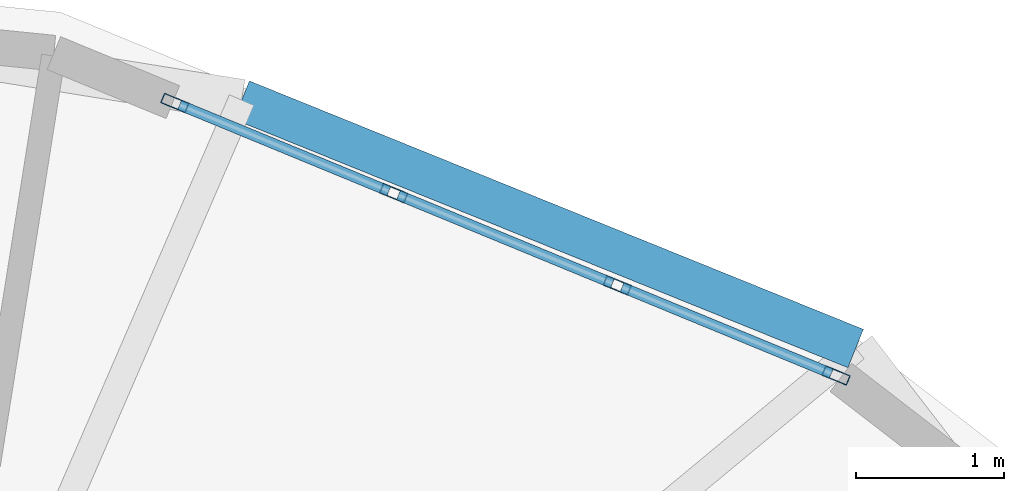
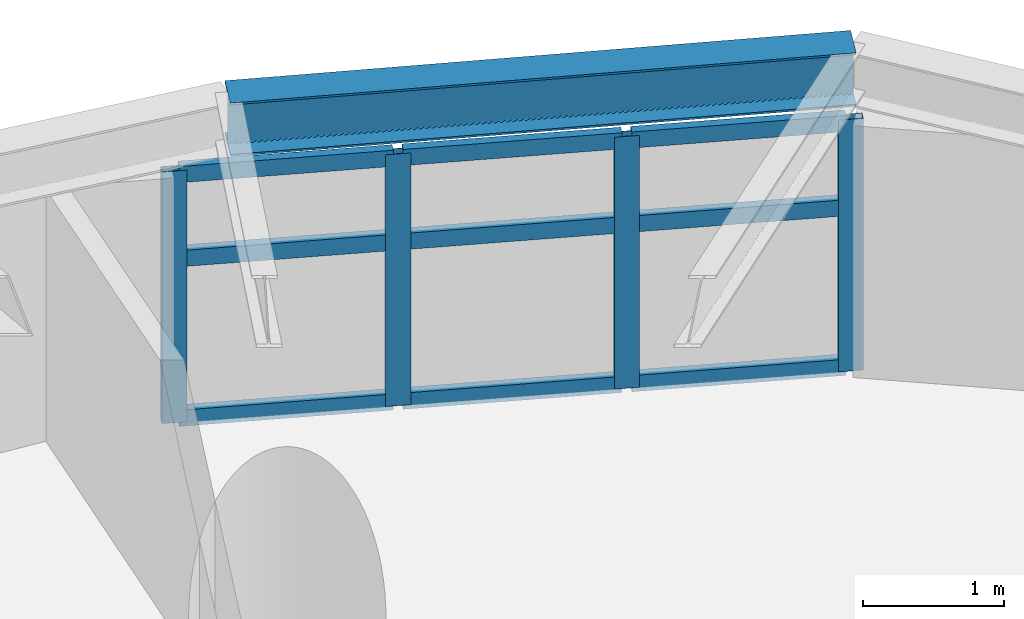
# One storey, part 7 of 16: 13 members, 1 beam, 1 element without a shape of its own.
"""IFC4 building model written with IfcOpenShell, lengths in metres."""

from ifc_helpers import new_model, si_unit, direction, frame, origin, origin_2d, place, context, subcontext, project, spatial, hollow_rectangle, i_section, extrude, material, layer, layer_set, material_profile, profile_set, type_object, element, aggregate, save


model = new_model("IFC4")

# Units and contexts
model_context = context("Model", 3, precision=1e-05, world=origin(), true_north=direction((0.0, 1.0)))
body_context = subcontext(model_context, "Body", "Model", "MODEL_VIEW")
ifc_project = project(units=[si_unit("LENGTHUNIT", "METRE"), si_unit("AREAUNIT", "SQUARE_METRE"), si_unit("VOLUMEUNIT", "CUBIC_METRE"), si_unit("PLANEANGLEUNIT", "RADIAN"), si_unit("MASSUNIT", "GRAM", prefix="KILO")], contexts=[model_context])

# Site, building, storey
site_placement = place(None, origin())
site = spatial("IfcSite", under=ifc_project, at=site_placement, CompositionType="ELEMENT")
building_placement = place(site_placement, origin())
building = spatial("IfcBuilding", under=site, at=building_placement, Name="Cununo Teusaquillo Station Towers", CompositionType="ELEMENT")
storey_placement = place(building_placement, frame((0.0, 0.0, 73.06005859375)))
storey = spatial("IfcBuildingStorey", under=building, at=storey_placement, Name="L22", CompositionType="ELEMENT", Elevation=73.06005859375)

# Beam
ifc_material_1 = material(Name="Steel ASTM A572 Grade 50", Category="steel")
ifc_material_profile_1 = material_profile(ifc_material_1, i_section(OverallWidth=0.280029296875, OverallDepth=0.462890625, WebThickness=0.0107421875, FlangeThickness=0.017333984375, FilletRadius=0.013916015625, at=origin_2d()), Name="W18X76")
ifc_profile_set_1 = profile_set([ifc_material_profile_1], Name="Steel ASTM A572 Grade 50")
beam_type = type_object("IfcBeamType", Name="BM-RING-Z2", PredefinedType="SPANDREL", material=ifc_profile_set_1)
beam_placement = place(storey_placement, frame((63.9111328125, 39.341064453125, 2.4384765625), z_axis=(-0.927007712072, 0.375042266631, 0.0), x_axis=(-0.375042266631, -0.927007712072, 0.0)))
element("IfcBeam", 1, at=beam_placement, inside=storey, type_object=beam_type, Name="L22 Tower B Spandrel Ring Beam 02", PredefinedType="SPANDREL", context=body_context, shape_type="SweptSolid", body=[
    extrude(i_section(OverallWidth=0.280029296875, OverallDepth=0.462890625, WebThickness=0.0107421875, FlangeThickness=0.017333984375, FilletRadius=0.013916015625, at=origin_2d()), origin(), (0.0, 0.0, 1.0), 4.480712890625),
])

# Curtain wall, members
ifc_material_2 = material(Name="Ceramic-fritted dark low-E double glazing", Category="glass")
ifc_layer = layer(ifc_material_2, 0.179931640625)
ifc_layer_set = layer_set([ifc_layer], Name="Ceramic-fritted dark low-E double glazing")
curtain_wall_type = type_object("IfcCurtainWallType", Name="CW-SYS-04", PredefinedType="USERDEFINED", material=ifc_layer_set)
curtain_wall_placement = place(storey_placement, origin())
curtain_wall = element("IfcCurtainWall", 2, at=curtain_wall_placement, inside=storey, type_object=curtain_wall_type, Name="L22 Tower B Facade Curtain Wall C01", ObjectType="FRITTED GLAZING", PredefinedType="USERDEFINED")
ifc_material_3 = material(Name="Anodised dark bronze aluminium EN AW-6063-T6", Category="aluminium")
ifc_material_profile_2 = material_profile(ifc_material_3, hollow_rectangle(XDim=0.070068359375, YDim=0.179931640625, WallThickness=0.00390625, at=origin_2d()), Name="CW-MULL-70x180")
ifc_profile_set_2 = profile_set([ifc_material_profile_2], Name="Anodised dark bronze aluminium EN AW-6063-T6")
member_type_1 = type_object("IfcMemberType", Name="CWM-180", PredefinedType="MULLION", material=ifc_profile_set_2)
member_1_placement = place(storey_placement, frame((59.3056640625, 41.001953125, 0.0), z_axis=(0.0, 0.0, 1.0), x_axis=(0.381030560176, 0.924562443652, 0.0)))
member_1 = element("IfcMember", 3, at=member_1_placement, type_object=member_type_1, Name="CW-04 mullion 1", PredefinedType="MULLION", context=body_context, shape_type="SweptSolid", body=[
    extrude(hollow_rectangle(XDim=0.070068359375, YDim=0.179931640625, WallThickness=0.00390625, at=origin_2d()), origin(), (0.0, 0.0, 1.0), 2.178955078125),
])
member_2_placement = place(storey_placement, frame((60.785888671875, 40.39208984375, 0.0), z_axis=(0.0, 0.0, 1.0), x_axis=(0.381030560176, 0.924562443652, 0.0)))
member_2 = element("IfcMember", 4, at=member_2_placement, type_object=member_type_1, Name="CW-04 mullion 2", PredefinedType="MULLION", context=body_context, shape_type="SweptSolid", body=[
    extrude(hollow_rectangle(XDim=0.070068359375, YDim=0.179931640625, WallThickness=0.00390625, at=origin_2d()), origin(), (0.0, 0.0, 1.0), 2.178955078125),
])
member_3_placement = place(storey_placement, frame((62.298583984375, 39.7685546875, 0.0), z_axis=(0.0, 0.0, 1.0), x_axis=(0.381030560176, 0.924562443652, 0.0)))
member_3 = element("IfcMember", 5, at=member_3_placement, type_object=member_type_1, Name="CW-04 mullion 3", PredefinedType="MULLION", context=body_context, shape_type="SweptSolid", body=[
    extrude(hollow_rectangle(XDim=0.070068359375, YDim=0.179931640625, WallThickness=0.00390625, at=origin_2d()), origin(), (0.0, 0.0, 1.0), 2.178955078125),
])
member_4_placement = place(storey_placement, frame((63.77880859375, 39.158447265625, 0.0), z_axis=(0.0, 0.0, 1.0), x_axis=(0.381030560176, 0.924562443652, 0.0)))
member_4 = element("IfcMember", 6, at=member_4_placement, type_object=member_type_1, Name="CW-04 mullion 4", PredefinedType="MULLION", context=body_context, shape_type="SweptSolid", body=[
    extrude(hollow_rectangle(XDim=0.070068359375, YDim=0.179931640625, WallThickness=0.00390625, at=origin_2d()), origin(), (0.0, 0.0, 1.0), 2.178955078125),
])
ifc_material_4 = material(Name="Anodised dark bronze aluminium EN AW-6063-T6", Category="aluminium")
ifc_material_profile_3 = material_profile(ifc_material_4, hollow_rectangle(XDim=0.070068359375, YDim=0.139892578125, WallThickness=0.00390625, at=origin_2d()), Name="CW-TRAN-70x140")
ifc_profile_set_3 = profile_set([ifc_material_profile_3], Name="Anodised dark bronze aluminium EN AW-6063-T6")
member_type_2 = type_object("IfcMemberType", Name="CWT-140", PredefinedType="USERDEFINED", material=ifc_profile_set_3)
member_5_placement = place(storey_placement, frame((59.337890625, 40.98876953125, 0.034912109375), z_axis=(0.924532726965, -0.381102659097, 0.0), x_axis=(0.381102659097, 0.924532726965, 0.0)))
member_5 = element("IfcMember", 7, at=member_5_placement, type_object=member_type_2, Name="CW-04 transom 1.1", ObjectType="TRANSOM", PredefinedType="USERDEFINED", context=body_context, shape_type="SweptSolid", body=[
    extrude(hollow_rectangle(XDim=0.070068359375, YDim=0.139892578125, WallThickness=0.00390625, at=origin_2d()), origin(), (0.0, 0.0, 1.0), 1.531005859375),
])
member_6_placement = place(storey_placement, frame((59.337890625, 40.98876953125, 1.416015625), z_axis=(0.924532726965, -0.381102659097, 0.0), x_axis=(0.381102659097, 0.924532726965, 0.0)))
member_6 = element("IfcMember", 8, at=member_6_placement, type_object=member_type_2, Name="CW-04 transom 1.2", ObjectType="TRANSOM", PredefinedType="USERDEFINED", context=body_context, shape_type="SweptSolid", body=[
    extrude(hollow_rectangle(XDim=0.070068359375, YDim=0.139892578125, WallThickness=0.00390625, at=origin_2d()), origin(), (0.0, 0.0, 1.0), 1.531005859375),
])
member_7_placement = place(storey_placement, frame((59.337890625, 40.98876953125, 2.14404296875), z_axis=(0.924532726965, -0.381102659097, 0.0), x_axis=(0.381102659097, 0.924532726965, 0.0)))
member_7 = element("IfcMember", 9, at=member_7_placement, type_object=member_type_2, Name="CW-04 transom 1.3", ObjectType="TRANSOM", PredefinedType="USERDEFINED", context=body_context, shape_type="SweptSolid", body=[
    extrude(hollow_rectangle(XDim=0.070068359375, YDim=0.139892578125, WallThickness=0.00390625, at=origin_2d()), origin(), (0.0, 0.0, 1.0), 1.531005859375),
])
member_8_placement = place(storey_placement, frame((60.818115234375, 40.378662109375, 0.034912109375), z_axis=(0.924577983912, -0.380992849887, 0.0), x_axis=(0.380992849887, 0.924577983912, 0.0)))
member_8 = element("IfcMember", 10, at=member_8_placement, type_object=member_type_2, Name="CW-04 transom 2.1", ObjectType="TRANSOM", PredefinedType="USERDEFINED", context=body_context, shape_type="SweptSolid", body=[
    extrude(hollow_rectangle(XDim=0.070068359375, YDim=0.139892578125, WallThickness=0.00390625, at=origin_2d()), origin(), (0.0, 0.0, 1.0), 1.566162109375),
])
member_9_placement = place(storey_placement, frame((60.818115234375, 40.378662109375, 1.416015625), z_axis=(0.924577983912, -0.380992849887, 0.0), x_axis=(0.380992849887, 0.924577983912, 0.0)))
member_9 = element("IfcMember", 11, at=member_9_placement, type_object=member_type_2, Name="CW-04 transom 2.2", ObjectType="TRANSOM", PredefinedType="USERDEFINED", context=body_context, shape_type="SweptSolid", body=[
    extrude(hollow_rectangle(XDim=0.070068359375, YDim=0.139892578125, WallThickness=0.00390625, at=origin_2d()), origin(), (0.0, 0.0, 1.0), 1.566162109375),
])
member_10_placement = place(storey_placement, frame((60.818115234375, 40.378662109375, 2.14404296875), z_axis=(0.924577983912, -0.380992849887, 0.0), x_axis=(0.380992849887, 0.924577983912, 0.0)))
member_10 = element("IfcMember", 12, at=member_10_placement, type_object=member_type_2, Name="CW-04 transom 2.3", ObjectType="TRANSOM", PredefinedType="USERDEFINED", context=body_context, shape_type="SweptSolid", body=[
    extrude(hollow_rectangle(XDim=0.070068359375, YDim=0.139892578125, WallThickness=0.00390625, at=origin_2d()), origin(), (0.0, 0.0, 1.0), 1.566162109375),
])
member_11_placement = place(storey_placement, frame((62.330810546875, 39.75537109375, 0.034912109375), z_axis=(0.924555881283, -0.381046483233, 0.0), x_axis=(0.381046483233, 0.924555881283, 0.0)))
member_11 = element("IfcMember", 13, at=member_11_placement, type_object=member_type_2, Name="CW-04 transom 3.1", ObjectType="TRANSOM", PredefinedType="USERDEFINED", context=body_context, shape_type="SweptSolid", body=[
    extrude(hollow_rectangle(XDim=0.070068359375, YDim=0.139892578125, WallThickness=0.00390625, at=origin_2d()), origin(), (0.0, 0.0, 1.0), 1.53125),
])
member_12_placement = place(storey_placement, frame((62.330810546875, 39.75537109375, 1.416015625), z_axis=(0.924555881283, -0.381046483233, 0.0), x_axis=(0.381046483233, 0.924555881283, 0.0)))
member_12 = element("IfcMember", 14, at=member_12_placement, type_object=member_type_2, Name="CW-04 transom 3.2", ObjectType="TRANSOM", PredefinedType="USERDEFINED", context=body_context, shape_type="SweptSolid", body=[
    extrude(hollow_rectangle(XDim=0.070068359375, YDim=0.139892578125, WallThickness=0.00390625, at=origin_2d()), origin(), (0.0, 0.0, 1.0), 1.53125),
])
member_13_placement = place(storey_placement, frame((62.330810546875, 39.75537109375, 2.14404296875), z_axis=(0.924555881283, -0.381046483233, 0.0), x_axis=(0.381046483233, 0.924555881283, 0.0)))
member_13 = element("IfcMember", 15, at=member_13_placement, type_object=member_type_2, Name="CW-04 transom 3.3", ObjectType="TRANSOM", PredefinedType="USERDEFINED", context=body_context, shape_type="SweptSolid", body=[
    extrude(hollow_rectangle(XDim=0.070068359375, YDim=0.139892578125, WallThickness=0.00390625, at=origin_2d()), origin(), (0.0, 0.0, 1.0), 1.53125),
])
aggregate(curtain_wall, [member_1, member_2, member_3, member_4, member_5, member_6, member_7, member_8, member_9, member_10, member_11, member_12, member_13])

save(model, "model.ifc")
